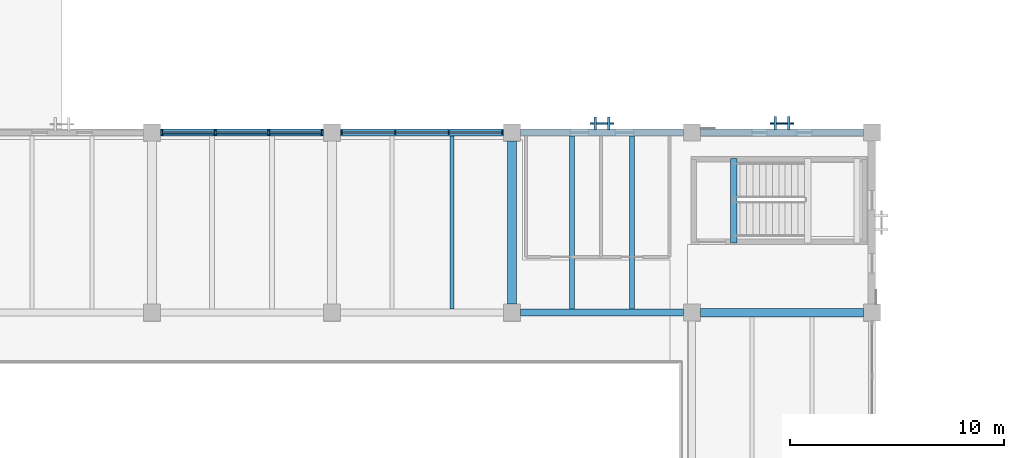
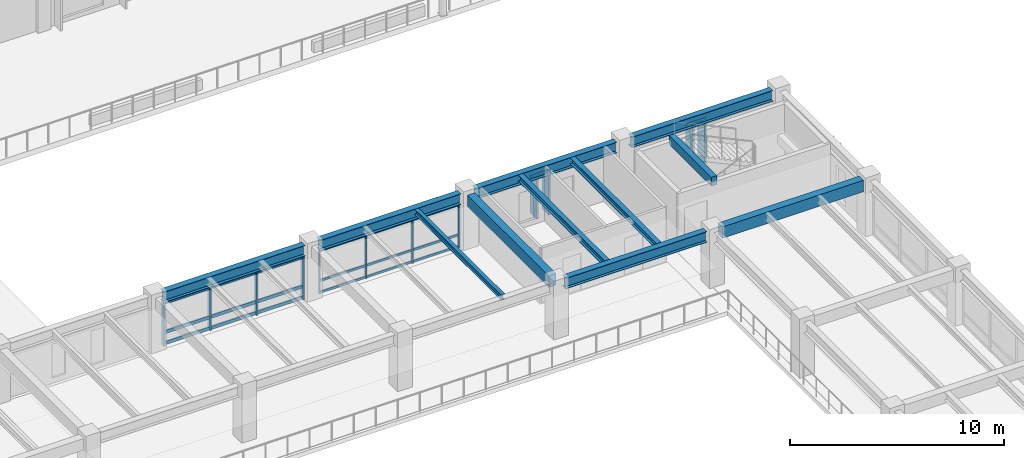
# One storey, part 12 of 111: 32 members, 11 beams, 4 elements without a shape of their own.
"""IFC4 building model written with IfcOpenShell, lengths in metres."""

from ifc_helpers import new_model, si_unit, direction, frame, origin, origin_2d, place, context, subcontext, project, spatial, rectangle, i_section, extrude, material, material_profile, profile_set, type_object, element, aggregate, save


model = new_model("IFC4")

# Units and contexts
model_context = context("Model", 3, precision=1e-05, world=origin(), true_north=direction((0.0, 1.0)))
body_context = subcontext(model_context, "Body", "Model", "MODEL_VIEW")
ifc_project = project(units=[si_unit("LENGTHUNIT", "METRE"), si_unit("AREAUNIT", "SQUARE_METRE"), si_unit("VOLUMEUNIT", "CUBIC_METRE"), si_unit("PLANEANGLEUNIT", "RADIAN"), si_unit("MASSUNIT", "GRAM", prefix="KILO")], contexts=[model_context])

# Site, building, storey
site_placement = place(None, origin())
site = spatial("IfcSite", under=ifc_project, at=site_placement, CompositionType="ELEMENT")
building_placement = place(site_placement, origin())
building = spatial("IfcBuilding", under=site, at=building_placement, Name="Cumbredor Promenade Congress Hotel", CompositionType="ELEMENT")
storey_placement = place(building_placement, frame((0.0, 0.0, 15.1201171875)))
storey = spatial("IfcBuildingStorey", under=building, at=storey_placement, Name="L04", CompositionType="ELEMENT", Elevation=15.1201171875)

# Beams
ifc_material_1 = material(Name="Concrete C40/50", Category="concrete")
ifc_material_profile_1 = material_profile(ifc_material_1, rectangle(XDim=0.39990234375, YDim=0.64990234375, at=origin_2d()), Name="RC BEAM 400x650")
ifc_profile_set_1 = profile_set([ifc_material_profile_1], Name="Concrete C40/50")
beam_type_1 = type_object("IfcBeamType", Name="BM-RC-400x650", PredefinedType="BEAM", material=ifc_profile_set_1)
for number, where, z_axis, x_axis, name in (
    (1, (50.39990234375, 59.199951171875, 2.794921875), (0.0, 1.0, 0.0), (-1.0, 0.0, 0.0), "L05 Y-Grid Beam 080"),
    (2, (59.199951171875, 58.800048828125, 2.794921875), (1.0, 0.0, 0.0), (0.0, 1.0, 0.0), "L05 X-Grid Beam 100"),
):
    element("IfcBeam", number, at=place(storey_placement, frame(where, z_axis=z_axis, x_axis=x_axis)), inside=storey, type_object=beam_type_1, Name=name, PredefinedType="BEAM", context=body_context, shape_type="SweptSolid", body=[
        extrude(rectangle(XDim=0.39990234375, YDim=0.64990234375, at=origin_2d()), origin(), (0.0, 0.0, 1.0), 7.60009765625),
    ])
ifc_material_2 = material(Name="Steel ASTM A992 Grade 50", Category="steel")
ifc_material_profile_2 = material_profile(ifc_material_2, i_section(OverallWidth=0.323974609375, OverallDepth=0.611083984375, WebThickness=0.0126953125, FlangeThickness=0.01904296875, at=origin_2d()), Name="W24X104")
ifc_profile_set_2 = profile_set([ifc_material_profile_2], Name="Steel ASTM A992 Grade 50")
beam_type_2 = type_object("IfcBeamType", Name="BM-W24X104", PredefinedType="BEAM", material=ifc_profile_set_2)
for number, where, z_axis, x_axis, name in (
    (3, (34.0, 67.199951171875, 2.814453125), (1.0, 0.0, 0.0), (0.0, 1.0, 0.0), "L05 X-Grid Beam 059"),
    (4, (42.39990234375, 67.199951171875, 2.814453125), (1.0, 0.0, 0.0), (0.0, 1.0, 0.0), "L05 X-Grid Beam 070"),
):
    element("IfcBeam", number, at=place(storey_placement, frame(where, z_axis=z_axis, x_axis=x_axis)), inside=storey, type_object=beam_type_2, Name=name, PredefinedType="BEAM", context=body_context, shape_type="SweptSolid", body=[
        extrude(i_section(OverallWidth=0.323974609375, OverallDepth=0.611083984375, WebThickness=0.0126953125, FlangeThickness=0.01904296875, at=origin_2d()), origin(), (0.0, 0.0, 1.0), 7.60009765625),
    ])
for number, where, z_axis, x_axis, name in (
    (5, (50.800048828125, 58.800048828125, 2.814453125), (1.0, 0.0, 0.0), (0.0, 1.0, 0.0), "L05 X-Grid Beam 079"),
    (6, (50.800048828125, 67.199951171875, 2.814453125), (1.0, 0.0, 0.0), (0.0, 1.0, 0.0), "L05 X-Grid Beam 081"),
):
    element("IfcBeam", number, at=place(storey_placement, frame(where, z_axis=z_axis, x_axis=x_axis)), inside=storey, type_object=beam_type_2, Name=name, PredefinedType="BEAM", context=body_context, shape_type="SweptSolid", body=[
        extrude(i_section(OverallWidth=0.323974609375, OverallDepth=0.611083984375, WebThickness=0.0126953125, FlangeThickness=0.01904296875, at=origin_2d()), origin(), (0.0, 0.0, 1.0), 7.599853515625),
    ])
beam_1_placement = place(storey_placement, frame((59.199951171875, 67.199951171875, 2.814453125), z_axis=(1.0, 0.0, 0.0), x_axis=(0.0, 1.0, 0.0)))
element("IfcBeam", 7, at=beam_1_placement, inside=storey, type_object=beam_type_2, Name="L05 X-Grid Beam 101", PredefinedType="BEAM", context=body_context, shape_type="SweptSolid", body=[
    extrude(i_section(OverallWidth=0.323974609375, OverallDepth=0.611083984375, WebThickness=0.0126953125, FlangeThickness=0.01904296875, at=origin_2d()), origin(), (0.0, 0.0, 1.0), 7.60009765625),
])

# Curtain wall, members
ifc_material_3 = material(Name="Thermally broken anodized aluminium and low-E glass", Category="aluminium")
curtain_wall_type_1 = type_object("IfcCurtainWallType", Name="Unitised Bronze Curtain Wall CW-01", PredefinedType="NOTDEFINED", material=ifc_material_3)
curtain_wall_1_placement = place(storey_placement, origin())
curtain_wall_1 = element("IfcCurtainWall", 8, at=curtain_wall_1_placement, inside=storey, type_object=curtain_wall_type_1, Name="L04 Plenary Congress Hall North Curtain Wall 5", PredefinedType="NOTDEFINED")
ifc_material_4 = material(Name="Thermally broken anodized aluminium", Category="aluminium")
ifc_material_profile_3 = material_profile(ifc_material_4, rectangle(XDim=0.06494140625, YDim=0.159912109375, at=origin_2d()), Name="ALU MULLION 65x160")
ifc_profile_set_3 = profile_set([ifc_material_profile_3], Name="Thermally broken anodized aluminium")
member_type_1 = type_object("IfcMemberType", Name="Curtain Wall Mullion ML-01", PredefinedType="MULLION", material=ifc_profile_set_3)
member_1_placement = place(storey_placement, frame((42.455078125, 67.199951171875, -0.008056640625), z_axis=(0.0, 0.0, 1.0), x_axis=(1.0, 0.0, 0.0)))
member_1 = element("IfcMember", 9, at=member_1_placement, type_object=member_type_1, Name="L04 Plenary Congress Hall North Curtain Wall 5 Mullion 1", PredefinedType="MULLION", context=body_context, shape_type="SweptSolid", body=[
    extrude(rectangle(XDim=0.06494140625, YDim=0.159912109375, at=origin_2d()), origin(), (0.0, 0.0, 1.0), 2.510009765625),
])
member_2_placement = place(storey_placement, frame((44.95166015625, 67.199951171875, -0.008056640625), z_axis=(0.0, 0.0, 1.0), x_axis=(1.0, 0.0, 0.0)))
member_2 = element("IfcMember", 10, at=member_2_placement, type_object=member_type_1, Name="L04 Plenary Congress Hall North Curtain Wall 5 Mullion 2", PredefinedType="MULLION", context=body_context, shape_type="SweptSolid", body=[
    extrude(rectangle(XDim=0.06494140625, YDim=0.159912109375, at=origin_2d()), origin(), (0.0, 0.0, 1.0), 2.510009765625),
])
member_3_placement = place(storey_placement, frame((47.4482421875, 67.199951171875, -0.008056640625), z_axis=(0.0, 0.0, 1.0), x_axis=(1.0, 0.0, 0.0)))
member_3 = element("IfcMember", 11, at=member_3_placement, type_object=member_type_1, Name="L04 Plenary Congress Hall North Curtain Wall 5 Mullion 3", PredefinedType="MULLION", context=body_context, shape_type="SweptSolid", body=[
    extrude(rectangle(XDim=0.06494140625, YDim=0.159912109375, at=origin_2d()), origin(), (0.0, 0.0, 1.0), 2.510009765625),
])
member_4_placement = place(storey_placement, frame((49.945068359375, 67.199951171875, -0.008056640625), z_axis=(0.0, 0.0, 1.0), x_axis=(1.0, 0.0, 0.0)))
member_4 = element("IfcMember", 12, at=member_4_placement, type_object=member_type_1, Name="L04 Plenary Congress Hall North Curtain Wall 5 Mullion 4", PredefinedType="MULLION", context=body_context, shape_type="SweptSolid", body=[
    extrude(rectangle(XDim=0.06494140625, YDim=0.159912109375, at=origin_2d()), origin(), (0.0, 0.0, 1.0), 2.510009765625),
])

curtain_wall_2_placement = place(storey_placement, origin())
curtain_wall_2 = element("IfcCurtainWall", 13, at=curtain_wall_2_placement, inside=storey, type_object=curtain_wall_type_1, Name="L04 Plenary Congress Hall North Curtain Wall 4", PredefinedType="NOTDEFINED")
ifc_material_profile_4 = material_profile(ifc_material_4, rectangle(XDim=0.080078125, YDim=0.239990234375, at=origin_2d()), Name="ALU MULLION 80x240")
ifc_profile_set_4 = profile_set([ifc_material_profile_4], Name="Thermally broken anodized aluminium")
member_type_2 = type_object("IfcMemberType", Name="Curtain Wall Mullion ML-03", PredefinedType="MULLION", material=ifc_profile_set_4)
member_5_placement = place(storey_placement, frame((34.054931640625, 67.199951171875, -0.008056640625), z_axis=(0.0, 0.0, 1.0), x_axis=(1.0, 0.0, 0.0)))
member_5 = element("IfcMember", 14, at=member_5_placement, type_object=member_type_2, Name="L04 Plenary Congress Hall North Curtain Wall 4 Mullion 1", PredefinedType="MULLION", context=body_context, shape_type="SweptSolid", body=[
    extrude(rectangle(XDim=0.080078125, YDim=0.239990234375, at=origin_2d()), origin(), (0.0, 0.0, 1.0), 2.510009765625),
])
member_6_placement = place(storey_placement, frame((36.5517578125, 67.199951171875, -0.008056640625), z_axis=(0.0, 0.0, 1.0), x_axis=(1.0, 0.0, 0.0)))
member_6 = element("IfcMember", 15, at=member_6_placement, type_object=member_type_2, Name="L04 Plenary Congress Hall North Curtain Wall 4 Mullion 2", PredefinedType="MULLION", context=body_context, shape_type="SweptSolid", body=[
    extrude(rectangle(XDim=0.080078125, YDim=0.239990234375, at=origin_2d()), origin(), (0.0, 0.0, 1.0), 2.510009765625),
])
member_7_placement = place(storey_placement, frame((39.04833984375, 67.199951171875, -0.008056640625), z_axis=(0.0, 0.0, 1.0), x_axis=(1.0, 0.0, 0.0)))
member_7 = element("IfcMember", 16, at=member_7_placement, type_object=member_type_2, Name="L04 Plenary Congress Hall North Curtain Wall 4 Mullion 3", PredefinedType="MULLION", context=body_context, shape_type="SweptSolid", body=[
    extrude(rectangle(XDim=0.080078125, YDim=0.239990234375, at=origin_2d()), origin(), (0.0, 0.0, 1.0), 2.510009765625),
])
member_8_placement = place(storey_placement, frame((41.544921875, 67.199951171875, -0.008056640625), z_axis=(0.0, 0.0, 1.0), x_axis=(1.0, 0.0, 0.0)))
member_8 = element("IfcMember", 17, at=member_8_placement, type_object=member_type_2, Name="L04 Plenary Congress Hall North Curtain Wall 4 Mullion 4", PredefinedType="MULLION", context=body_context, shape_type="SweptSolid", body=[
    extrude(rectangle(XDim=0.080078125, YDim=0.239990234375, at=origin_2d()), origin(), (0.0, 0.0, 1.0), 2.510009765625),
])

# Member
ifc_material_profile_5 = material_profile(ifc_material_4, rectangle(XDim=0.06494140625, YDim=0.1298828125, at=origin_2d()), Name="ALU TRANSOM 65x130")
ifc_profile_set_5 = profile_set([ifc_material_profile_5], Name="Thermally broken anodized aluminium")
member_type_3 = type_object("IfcMemberType", Name="Curtain Wall Transom TR-01", PredefinedType="USERDEFINED", material=ifc_profile_set_5)
member_9_placement = place(storey_placement, frame((42.487548828125, 67.199951171875, 0.059814453125), z_axis=(1.0, 0.0, 0.0), x_axis=(0.0, 1.0, 0.0)))
member_9 = element("IfcMember", 18, at=member_9_placement, type_object=member_type_3, Name="L04 Plenary Congress Hall North Curtain Wall 5 Transom 1.1", ObjectType="TRANSOM", PredefinedType="USERDEFINED", context=body_context, shape_type="SweptSolid", body=[
    extrude(rectangle(XDim=0.06494140625, YDim=0.1298828125, at=origin_2d()), origin(), (0.0, 0.0, 1.0), 2.431640625),
])

member_10_placement = place(storey_placement, frame((42.487548828125, 67.199951171875, 0.719970703125), z_axis=(1.0, 0.0, 0.0), x_axis=(0.0, 1.0, 0.0)))
member_10 = element("IfcMember", 19, at=member_10_placement, type_object=member_type_3, Name="L04 Plenary Congress Hall North Curtain Wall 5 Transom 1.2", ObjectType="TRANSOM", PredefinedType="USERDEFINED", context=body_context, shape_type="SweptSolid", body=[
    extrude(rectangle(XDim=0.06494140625, YDim=0.1298828125, at=origin_2d()), origin(), (0.0, 0.0, 1.0), 2.431640625),
])

member_11_placement = place(storey_placement, frame((42.487548828125, 67.199951171875, 2.429931640625), z_axis=(1.0, 0.0, 0.0), x_axis=(0.0, 1.0, 0.0)))
member_11 = element("IfcMember", 20, at=member_11_placement, type_object=member_type_3, Name="L04 Plenary Congress Hall North Curtain Wall 5 Transom 1.3", ObjectType="TRANSOM", PredefinedType="USERDEFINED", context=body_context, shape_type="SweptSolid", body=[
    extrude(rectangle(XDim=0.06494140625, YDim=0.1298828125, at=origin_2d()), origin(), (0.0, 0.0, 1.0), 2.431640625),
])

member_12_placement = place(storey_placement, frame((44.984130859375, 67.199951171875, 0.059814453125), z_axis=(1.0, 0.0, 0.0), x_axis=(0.0, 1.0, 0.0)))
member_12 = element("IfcMember", 21, at=member_12_placement, type_object=member_type_3, Name="L04 Plenary Congress Hall North Curtain Wall 5 Transom 2.1", ObjectType="TRANSOM", PredefinedType="USERDEFINED", context=body_context, shape_type="SweptSolid", body=[
    extrude(rectangle(XDim=0.06494140625, YDim=0.1298828125, at=origin_2d()), origin(), (0.0, 0.0, 1.0), 2.431640625),
])

member_13_placement = place(storey_placement, frame((44.984130859375, 67.199951171875, 0.719970703125), z_axis=(1.0, 0.0, 0.0), x_axis=(0.0, 1.0, 0.0)))
member_13 = element("IfcMember", 22, at=member_13_placement, type_object=member_type_3, Name="L04 Plenary Congress Hall North Curtain Wall 5 Transom 2.2", ObjectType="TRANSOM", PredefinedType="USERDEFINED", context=body_context, shape_type="SweptSolid", body=[
    extrude(rectangle(XDim=0.06494140625, YDim=0.1298828125, at=origin_2d()), origin(), (0.0, 0.0, 1.0), 2.431640625),
])

member_14_placement = place(storey_placement, frame((44.984130859375, 67.199951171875, 2.429931640625), z_axis=(1.0, 0.0, 0.0), x_axis=(0.0, 1.0, 0.0)))
member_14 = element("IfcMember", 23, at=member_14_placement, type_object=member_type_3, Name="L04 Plenary Congress Hall North Curtain Wall 5 Transom 2.3", ObjectType="TRANSOM", PredefinedType="USERDEFINED", context=body_context, shape_type="SweptSolid", body=[
    extrude(rectangle(XDim=0.06494140625, YDim=0.1298828125, at=origin_2d()), origin(), (0.0, 0.0, 1.0), 2.431640625),
])

member_15_placement = place(storey_placement, frame((47.480712890625, 67.199951171875, 0.059814453125), z_axis=(1.0, 0.0, 0.0), x_axis=(0.0, 1.0, 0.0)))
member_15 = element("IfcMember", 24, at=member_15_placement, type_object=member_type_3, Name="L04 Plenary Congress Hall North Curtain Wall 5 Transom 3.1", ObjectType="TRANSOM", PredefinedType="USERDEFINED", context=body_context, shape_type="SweptSolid", body=[
    extrude(rectangle(XDim=0.06494140625, YDim=0.1298828125, at=origin_2d()), origin(), (0.0, 0.0, 1.0), 2.431884765625),
])

member_16_placement = place(storey_placement, frame((47.480712890625, 67.199951171875, 0.719970703125), z_axis=(1.0, 0.0, 0.0), x_axis=(0.0, 1.0, 0.0)))
member_16 = element("IfcMember", 25, at=member_16_placement, type_object=member_type_3, Name="L04 Plenary Congress Hall North Curtain Wall 5 Transom 3.2", ObjectType="TRANSOM", PredefinedType="USERDEFINED", context=body_context, shape_type="SweptSolid", body=[
    extrude(rectangle(XDim=0.06494140625, YDim=0.1298828125, at=origin_2d()), origin(), (0.0, 0.0, 1.0), 2.431884765625),
])

member_17_placement = place(storey_placement, frame((47.480712890625, 67.199951171875, 2.429931640625), z_axis=(1.0, 0.0, 0.0), x_axis=(0.0, 1.0, 0.0)))
member_17 = element("IfcMember", 26, at=member_17_placement, type_object=member_type_3, Name="L04 Plenary Congress Hall North Curtain Wall 5 Transom 3.3", ObjectType="TRANSOM", PredefinedType="USERDEFINED", context=body_context, shape_type="SweptSolid", body=[
    extrude(rectangle(XDim=0.06494140625, YDim=0.1298828125, at=origin_2d()), origin(), (0.0, 0.0, 1.0), 2.431884765625),
])

aggregate(curtain_wall_1, [member_1, member_2, member_3, member_4, member_9, member_10, member_11, member_12, member_13, member_14, member_15, member_16, member_17])

# Curtain wall, member
curtain_wall_type_2 = type_object("IfcCurtainWallType", Name="Solar Brise-Soleil Screen Assembly CW-07", PredefinedType="NOTDEFINED", material=ifc_material_3)
curtain_wall_3_placement = place(storey_placement, origin())
curtain_wall_3 = element("IfcCurtainWall", 27, at=curtain_wall_3_placement, inside=storey, type_object=curtain_wall_type_2, Name="L04 Pier Brise-Soleil Screen 0718", PredefinedType="NOTDEFINED")
member_18_placement = place(storey_placement, frame((54.050048828125, 67.62255859375, 2.333984375), z_axis=(1.0, 0.0, 0.0), x_axis=(0.0, 1.0, 0.0)))
member_18 = element("IfcMember", 28, at=member_18_placement, type_object=member_type_3, Name="L04 Pier Brise-Soleil Header 0720", ObjectType="TRANSOM", PredefinedType="USERDEFINED", context=body_context, shape_type="SweptSolid", body=[
    extrude(rectangle(XDim=0.06494140625, YDim=0.1298828125, at=origin_2d()), origin(), (0.0, 0.0, 1.0), 1.099853515625),
])

curtain_wall_4_placement = place(storey_placement, origin())
curtain_wall_4 = element("IfcCurtainWall", 29, at=curtain_wall_4_placement, inside=storey, type_object=curtain_wall_type_2, Name="L04 Pier Brise-Soleil Screen 0721", PredefinedType="NOTDEFINED")
member_19_placement = place(storey_placement, frame((62.449951171875, 67.635009765625, 2.333984375), z_axis=(1.0, 0.0, 0.0), x_axis=(0.0, 1.0, 0.0)))
member_19 = element("IfcMember", 30, at=member_19_placement, type_object=member_type_3, Name="L04 Pier Brise-Soleil Header 0723", ObjectType="TRANSOM", PredefinedType="USERDEFINED", context=body_context, shape_type="SweptSolid", body=[
    extrude(rectangle(XDim=0.06494140625, YDim=0.1298828125, at=origin_2d()), origin(), (0.0, 0.0, 1.0), 1.10009765625),
])

# Member
ifc_material_profile_6 = material_profile(ifc_material_4, rectangle(XDim=0.080078125, YDim=0.179931640625, at=origin_2d()), Name="ALU TRANSOM 80x180")
ifc_profile_set_6 = profile_set([ifc_material_profile_6], Name="Thermally broken anodized aluminium")
member_type_4 = type_object("IfcMemberType", Name="Curtain Wall Transom TR-03", PredefinedType="USERDEFINED", material=ifc_profile_set_6)
member_20_placement = place(storey_placement, frame((34.094970703125, 67.199951171875, 0.08984375), z_axis=(1.0, 0.0, 0.0), x_axis=(0.0, 1.0, 0.0)))
member_20 = element("IfcMember", 31, at=member_20_placement, type_object=member_type_4, Name="L04 Plenary Congress Hall North Curtain Wall 4 Transom 1.1", ObjectType="TRANSOM", PredefinedType="USERDEFINED", context=body_context, shape_type="SweptSolid", body=[
    extrude(rectangle(XDim=0.080078125, YDim=0.179931640625, at=origin_2d()), origin(), (0.0, 0.0, 1.0), 2.416748046875),
])

member_21_placement = place(storey_placement, frame((34.094970703125, 67.199951171875, 0.719970703125), z_axis=(1.0, 0.0, 0.0), x_axis=(0.0, 1.0, 0.0)))
member_21 = element("IfcMember", 32, at=member_21_placement, type_object=member_type_4, Name="L04 Plenary Congress Hall North Curtain Wall 4 Transom 1.2", ObjectType="TRANSOM", PredefinedType="USERDEFINED", context=body_context, shape_type="SweptSolid", body=[
    extrude(rectangle(XDim=0.080078125, YDim=0.179931640625, at=origin_2d()), origin(), (0.0, 0.0, 1.0), 2.416748046875),
])

member_22_placement = place(storey_placement, frame((34.094970703125, 67.199951171875, 2.39990234375), z_axis=(1.0, 0.0, 0.0), x_axis=(0.0, 1.0, 0.0)))
member_22 = element("IfcMember", 33, at=member_22_placement, type_object=member_type_4, Name="L04 Plenary Congress Hall North Curtain Wall 4 Transom 1.3", ObjectType="TRANSOM", PredefinedType="USERDEFINED", context=body_context, shape_type="SweptSolid", body=[
    extrude(rectangle(XDim=0.080078125, YDim=0.179931640625, at=origin_2d()), origin(), (0.0, 0.0, 1.0), 2.416748046875),
])

member_23_placement = place(storey_placement, frame((36.591796875, 67.199951171875, 0.08984375), z_axis=(1.0, 0.0, 0.0), x_axis=(0.0, 1.0, 0.0)))
member_23 = element("IfcMember", 34, at=member_23_placement, type_object=member_type_4, Name="L04 Plenary Congress Hall North Curtain Wall 4 Transom 2.1", ObjectType="TRANSOM", PredefinedType="USERDEFINED", context=body_context, shape_type="SweptSolid", body=[
    extrude(rectangle(XDim=0.080078125, YDim=0.179931640625, at=origin_2d()), origin(), (0.0, 0.0, 1.0), 2.41650390625),
])

member_24_placement = place(storey_placement, frame((36.591796875, 67.199951171875, 0.719970703125), z_axis=(1.0, 0.0, 0.0), x_axis=(0.0, 1.0, 0.0)))
member_24 = element("IfcMember", 35, at=member_24_placement, type_object=member_type_4, Name="L04 Plenary Congress Hall North Curtain Wall 4 Transom 2.2", ObjectType="TRANSOM", PredefinedType="USERDEFINED", context=body_context, shape_type="SweptSolid", body=[
    extrude(rectangle(XDim=0.080078125, YDim=0.179931640625, at=origin_2d()), origin(), (0.0, 0.0, 1.0), 2.41650390625),
])

member_25_placement = place(storey_placement, frame((36.591796875, 67.199951171875, 2.39990234375), z_axis=(1.0, 0.0, 0.0), x_axis=(0.0, 1.0, 0.0)))
member_25 = element("IfcMember", 36, at=member_25_placement, type_object=member_type_4, Name="L04 Plenary Congress Hall North Curtain Wall 4 Transom 2.3", ObjectType="TRANSOM", PredefinedType="USERDEFINED", context=body_context, shape_type="SweptSolid", body=[
    extrude(rectangle(XDim=0.080078125, YDim=0.179931640625, at=origin_2d()), origin(), (0.0, 0.0, 1.0), 2.41650390625),
])

member_26_placement = place(storey_placement, frame((39.08837890625, 67.199951171875, 0.08984375), z_axis=(1.0, 0.0, 0.0), x_axis=(0.0, 1.0, 0.0)))
member_26 = element("IfcMember", 37, at=member_26_placement, type_object=member_type_4, Name="L04 Plenary Congress Hall North Curtain Wall 4 Transom 3.1", ObjectType="TRANSOM", PredefinedType="USERDEFINED", context=body_context, shape_type="SweptSolid", body=[
    extrude(rectangle(XDim=0.080078125, YDim=0.179931640625, at=origin_2d()), origin(), (0.0, 0.0, 1.0), 2.41650390625),
])

member_27_placement = place(storey_placement, frame((39.08837890625, 67.199951171875, 0.719970703125), z_axis=(1.0, 0.0, 0.0), x_axis=(0.0, 1.0, 0.0)))
member_27 = element("IfcMember", 38, at=member_27_placement, type_object=member_type_4, Name="L04 Plenary Congress Hall North Curtain Wall 4 Transom 3.2", ObjectType="TRANSOM", PredefinedType="USERDEFINED", context=body_context, shape_type="SweptSolid", body=[
    extrude(rectangle(XDim=0.080078125, YDim=0.179931640625, at=origin_2d()), origin(), (0.0, 0.0, 1.0), 2.41650390625),
])

member_28_placement = place(storey_placement, frame((39.08837890625, 67.199951171875, 2.39990234375), z_axis=(1.0, 0.0, 0.0), x_axis=(0.0, 1.0, 0.0)))
member_28 = element("IfcMember", 39, at=member_28_placement, type_object=member_type_4, Name="L04 Plenary Congress Hall North Curtain Wall 4 Transom 3.3", ObjectType="TRANSOM", PredefinedType="USERDEFINED", context=body_context, shape_type="SweptSolid", body=[
    extrude(rectangle(XDim=0.080078125, YDim=0.179931640625, at=origin_2d()), origin(), (0.0, 0.0, 1.0), 2.41650390625),
])

aggregate(curtain_wall_2, [member_5, member_6, member_7, member_8, member_20, member_21, member_22, member_23, member_24, member_25, member_26, member_27, member_28])

# Beams
ifc_material_profile_7 = material_profile(ifc_material_2, i_section(OverallWidth=0.202880859375, OverallDepth=0.302978515625, WebThickness=0.007568359375, FlangeThickness=0.01318359375, at=origin_2d()), Name="W12X40")
ifc_profile_set_7 = profile_set([ifc_material_profile_7], Name="Steel ASTM A992 Grade 50")
beam_type_3 = type_object("IfcBeamType", Name="JST-W12X40", PredefinedType="JOIST", material=ifc_profile_set_7)
beam_2_placement = place(storey_placement, frame((47.60009765625, 58.9619140625, 2.96826171875), z_axis=(0.0, 1.0, 0.0), x_axis=(-1.0, 0.0, 0.0)))
element("IfcBeam", 40, at=beam_2_placement, inside=storey, type_object=beam_type_3, Name="L05 Secondary Floor Joist 0035", PredefinedType="JOIST", context=body_context, shape_type="SweptSolid", body=[
    extrude(i_section(OverallWidth=0.202880859375, OverallDepth=0.302978515625, WebThickness=0.007568359375, FlangeThickness=0.01318359375, at=origin_2d()), origin(), (0.0, 0.0, 1.0), 8.076171875),
])
ifc_material_profile_8 = material_profile(ifc_material_2, i_section(OverallWidth=0.2548828125, OverallDepth=0.35693359375, WebThickness=0.010498046875, FlangeThickness=0.018310546875, at=origin_2d()), Name="W14X68")
ifc_profile_set_8 = profile_set([ifc_material_profile_8], Name="Steel ASTM A992 Grade 50")
beam_type_4 = type_object("IfcBeamType", Name="JST-W14X68", PredefinedType="JOIST", material=ifc_profile_set_8)
for number, where, z_axis, x_axis, name in (
    (41, (53.199951171875, 58.9619140625, 2.94140625), (0.0, 1.0, 0.0), (-1.0, 0.0, 0.0), "L05 Secondary Floor Joist 0040"),
    (42, (56.0, 58.9619140625, 2.94140625), (0.0, 1.0, 0.0), (-1.0, 0.0, 0.0), "L05 Secondary Floor Joist 0041"),
):
    element("IfcBeam", number, at=place(storey_placement, frame(where, z_axis=z_axis, x_axis=x_axis)), inside=storey, type_object=beam_type_4, Name=name, PredefinedType="JOIST", context=body_context, shape_type="SweptSolid", body=[
        extrude(i_section(OverallWidth=0.2548828125, OverallDepth=0.35693359375, WebThickness=0.010498046875, FlangeThickness=0.018310546875, at=origin_2d()), origin(), (0.0, 0.0, 1.0), 8.076171875),
    ])
ifc_material_profile_9 = material_profile(ifc_material_1, rectangle(XDim=0.300048828125, YDim=0.5, at=origin_2d()), Name="RC LINTEL 300x500")
ifc_profile_set_9 = profile_set([ifc_material_profile_9], Name="Concrete C40/50")
beam_type_5 = type_object("IfcBeamType", Name="LN-RC-300x500", PredefinedType="LINTEL", material=ifc_profile_set_9)
beam_3_placement = place(storey_placement, frame((60.75, 62.050048828125, 3.10986328125), z_axis=(0.0, 1.0, 0.0), x_axis=(-1.0, 0.0, 0.0)))
element("IfcBeam", 43, at=beam_3_placement, inside=storey, type_object=beam_type_5, Name="L05 Stair ST-07 Well Header Trimmer Beam", PredefinedType="LINTEL", context=body_context, shape_type="SweptSolid", body=[
    extrude(rectangle(XDim=0.300048828125, YDim=0.5, at=origin_2d()), origin(), (0.0, 0.0, 1.0), 3.949951171875),
])

# Member
ifc_material_profile_10 = material_profile(ifc_material_4, rectangle(XDim=0.110107421875, YDim=0.6201171875, at=origin_2d()), Name="ARCH FIN 110x620")
ifc_profile_set_10 = profile_set([ifc_material_profile_10], Name="Thermally broken anodized aluminium")
member_type_5 = type_object("IfcMemberType", Name="Vertical Bronze Brise-Soleil Fin BSF-02 110x620", PredefinedType="USERDEFINED", material=ifc_profile_set_10)
member_29_placement = place(storey_placement, frame((54.280029296875, 67.62255859375, 0.019775390625), z_axis=(0.0, 0.0, 1.0), x_axis=(1.0, 0.0, 0.0)))
member_29 = element("IfcMember", 44, at=member_29_placement, type_object=member_type_5, Name="L04 Pier Brise-Soleil Fin 0719", ObjectType="SOLAR FIN", PredefinedType="USERDEFINED", context=body_context, shape_type="SweptSolid", body=[
    extrude(rectangle(XDim=0.110107421875, YDim=0.6201171875, at=origin_2d()), origin(), (0.0, 0.0, 1.0), 2.35400390625),
])

member_30_placement = place(storey_placement, frame((54.919921875, 67.62255859375, 0.019775390625), z_axis=(0.0, 0.0, 1.0), x_axis=(1.0, 0.0, 0.0)))
member_30 = element("IfcMember", 45, at=member_30_placement, type_object=member_type_5, Name="L04 Pier Brise-Soleil Fin 0720", ObjectType="SOLAR FIN", PredefinedType="USERDEFINED", context=body_context, shape_type="SweptSolid", body=[
    extrude(rectangle(XDim=0.110107421875, YDim=0.6201171875, at=origin_2d()), origin(), (0.0, 0.0, 1.0), 2.35400390625),
])

aggregate(curtain_wall_3, [member_29, member_30, member_18])

member_31_placement = place(storey_placement, frame((62.679931640625, 67.635009765625, 0.019775390625), z_axis=(0.0, 0.0, 1.0), x_axis=(1.0, 0.0, 0.0)))
member_31 = element("IfcMember", 46, at=member_31_placement, type_object=member_type_5, Name="L04 Pier Brise-Soleil Fin 0722", ObjectType="SOLAR FIN", PredefinedType="USERDEFINED", context=body_context, shape_type="SweptSolid", body=[
    extrude(rectangle(XDim=0.110107421875, YDim=0.6201171875, at=origin_2d()), origin(), (0.0, 0.0, 1.0), 2.35400390625),
])

member_32_placement = place(storey_placement, frame((63.320068359375, 67.635009765625, 0.019775390625), z_axis=(0.0, 0.0, 1.0), x_axis=(1.0, 0.0, 0.0)))
member_32 = element("IfcMember", 47, at=member_32_placement, type_object=member_type_5, Name="L04 Pier Brise-Soleil Fin 0723", ObjectType="SOLAR FIN", PredefinedType="USERDEFINED", context=body_context, shape_type="SweptSolid", body=[
    extrude(rectangle(XDim=0.110107421875, YDim=0.6201171875, at=origin_2d()), origin(), (0.0, 0.0, 1.0), 2.35400390625),
])

aggregate(curtain_wall_4, [member_31, member_32, member_19])

save(model, "model.ifc")
